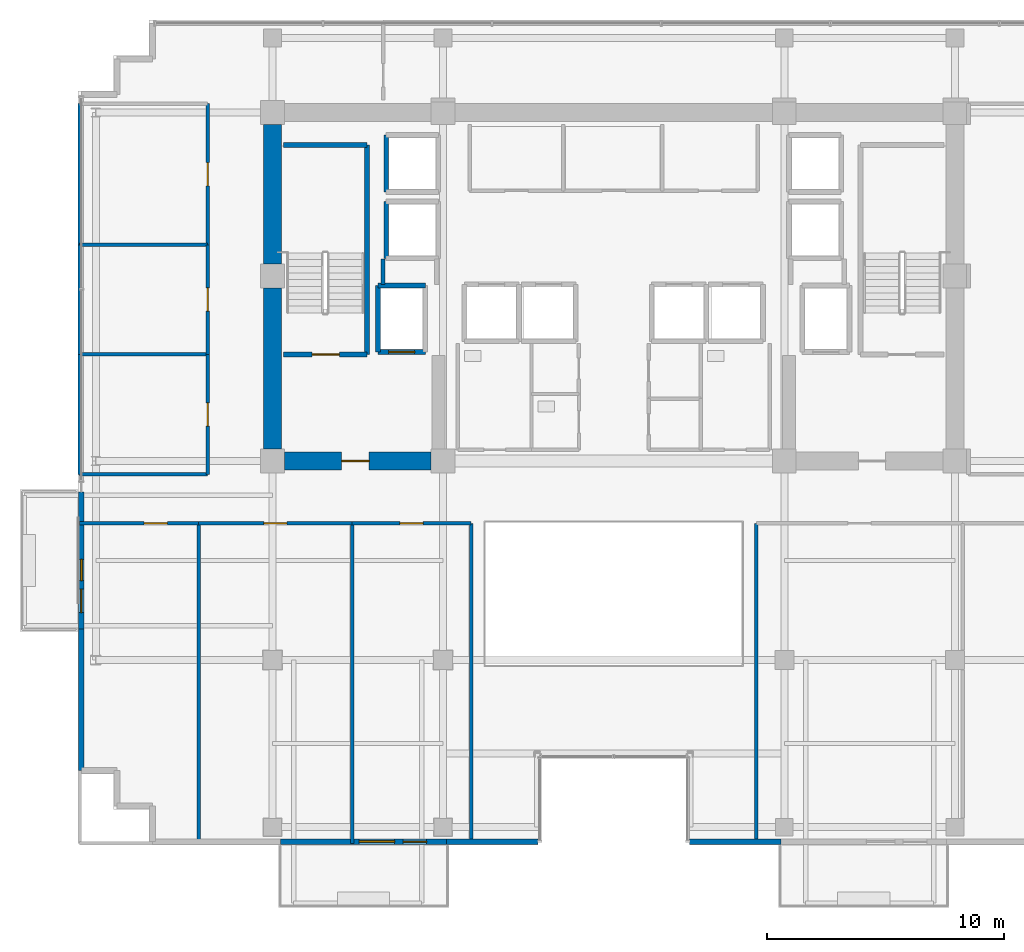
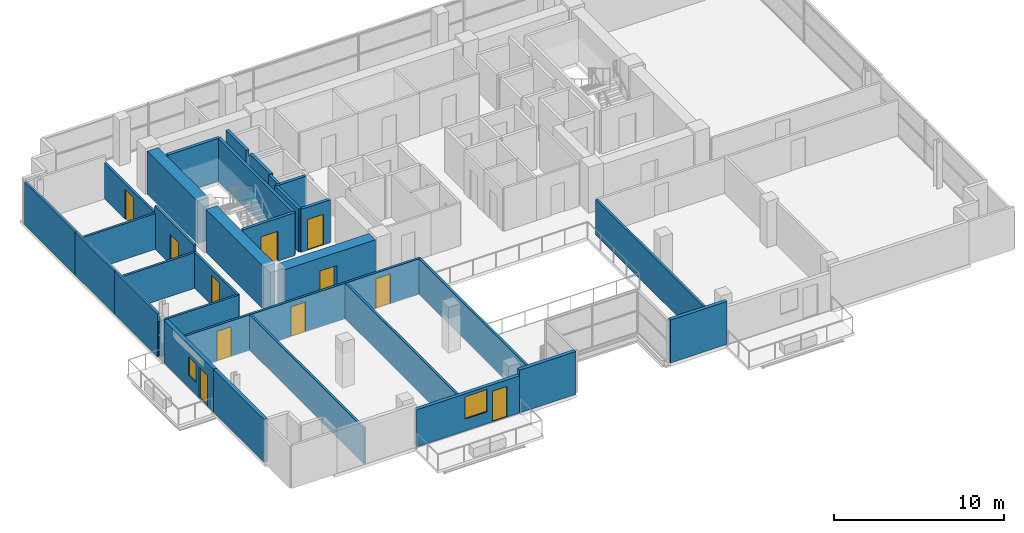
# One storey, part 15 of 22: 33 walls, 11 doors, 2 windows, 13 openings.
"""IFC4 building model written with IfcOpenShell, lengths in metres."""

from ifc_helpers import new_model, si_unit, direction, frame, frame_2d, origin, place, context, subcontext, project, spatial, rectangle, extrude, source, transform, mapped, material, layer, layer_set, type_object, element, fill, save


model = new_model("IFC4")

# Units and contexts
model_context = context("Model", 3, precision=1e-05, world=origin(), true_north=direction((0.0, 1.0)))
body_context = subcontext(model_context, "Body", "Model", "MODEL_VIEW")
ifc_project = project(units=[si_unit("LENGTHUNIT", "METRE"), si_unit("AREAUNIT", "SQUARE_METRE"), si_unit("VOLUMEUNIT", "CUBIC_METRE"), si_unit("PLANEANGLEUNIT", "RADIAN"), si_unit("MASSUNIT", "GRAM", prefix="KILO")], contexts=[model_context])

# Site, building, storey
site_placement = place(None, origin())
site = spatial("IfcSite", under=ifc_project, at=site_placement, CompositionType="ELEMENT")
building_placement = place(site_placement, origin())
building = spatial("IfcBuilding", under=site, at=building_placement, Name="Zarnakvel Exchange Tower", CompositionType="ELEMENT")
storey_placement = place(building_placement, frame((0.0, 0.0, 179.199951171875)))
storey = spatial("IfcBuildingStorey", under=building, at=storey_placement, Name="L50", CompositionType="ELEMENT", Elevation=179.199951171875)

# Walls
ifc_material_1 = material(Name="Concrete C60/75", Category="concrete")
ifc_layer_1 = layer(ifc_material_1, 0.75)
ifc_layer_set_1 = layer_set([ifc_layer_1], Name="Concrete C60/75")
wall_type_1 = type_object("IfcWallType", Name="CW-C3", PredefinedType="SHEAR", material=ifc_layer_set_1)
wall_1_placement = place(storey_placement, frame((-14.39990234375, -0.699951171875, 0.0), z_axis=(0.0, 0.0, 1.0), x_axis=(0.0, 1.0, 0.0)))
element("IfcWall", 1, at=wall_1_placement, inside=storey, type_object=wall_type_1, Name="L50 Rear Core Shear Wall W1 (CW-C3)", PredefinedType="SHEAR", context=body_context, shape_type="SweptSolid", body=[
    extrude(rectangle(XDim=6.800048828125, YDim=0.75, at=frame_2d((3.39990234375, 0.0))), origin(), (0.0, 0.0, 1.0), 3.074951171875),
])
wall_2_placement = place(storey_placement, frame((-14.39990234375, 7.10009765625, 0.0), z_axis=(0.0, 0.0, 1.0), x_axis=(0.0, 1.0, 0.0)))
element("IfcWall", 2, at=wall_2_placement, inside=storey, type_object=wall_type_1, Name="L50 Rear Core Shear Wall W2 (CW-C3)", PredefinedType="SHEAR", context=body_context, shape_type="SweptSolid", body=[
    extrude(rectangle(XDim=5.89990234375, YDim=0.75, at=frame_2d((2.949951171875, 0.0))), origin(), (0.0, 0.0, 1.0), 3.074951171875),
])

# Wall, opening, door
wall_3_placement = place(storey_placement, frame((-7.699951171875, -1.199951171875, 0.0), z_axis=(0.0, 0.0, 1.0), x_axis=(-1.0, 0.0, 0.0)))
wall_3 = element("IfcWall", 3, at=wall_3_placement, inside=storey, type_object=wall_type_1, Name="L50 Rear Core Shear Wall SW (CW-C3)", PredefinedType="SHEAR", context=body_context, shape_type="SweptSolid", body=[
    extrude(rectangle(XDim=6.199951171875, YDim=0.75, at=frame_2d((3.10009765625, 0.0))), origin(), (0.0, 0.0, 1.0), 3.074951171875),
])
opening_1_placement = place(wall_3_placement, frame((2.625, 0.0, 0.0)))
opening_1 = element("IfcOpeningElement", 4, at=opening_1_placement, cuts=wall_3, Name="Opening D-L50-03", PredefinedType="OPENING", context=body_context, shape_type="SweptSolid", body=[
    extrude(rectangle(XDim=1.14990234375, YDim=2.14990234375, at=frame_2d((0.574951171875, 1.074951171875))), frame((0.0, 0.385009765625, 0.0), z_axis=(0.0, -1.0, 0.0), x_axis=(1.0, 0.0, 0.0)), (0.0, 0.0, 1.0), 0.77001953125),
])
ifc_material_2 = material(Name="Painted Galvanised Steel S355", Category="steel")
door_type_1 = type_object("IfcDoorType", Name="DT-04", OperationType="NOTDEFINED", PredefinedType="DOOR", material=ifc_material_2)
shared_shape_1 = source(origin(), body_context, "Body", "SweptSolid", [
    extrude(rectangle(XDim=1.14990234375, YDim=2.14990234375, at=frame_2d((0.574951171875, 1.074951171875))), frame((0.0, 0.02490234375, 0.0), z_axis=(0.0, -1.0, 0.0), x_axis=(1.0, 0.0, 0.0)), (0.0, 0.0, 1.0), 0.050048828125),
])
door_1_placement = place(opening_1_placement, origin())
door_1 = element("IfcDoor", 5, at=door_1_placement, inside=storey, type_object=door_type_1, Name="L50 Firefighting Lobby West Door D-L50-03", OperationType="SINGLE_SWING_RIGHT", OverallHeight=2.14990234375, OverallWidth=1.14990234375, PredefinedType="DOOR", context=body_context, shape_type="MappedRepresentation", body=[
    mapped(shared_shape_1, transform((0.0, 0.0, 0.0), x_axis=(1.0, 0.0, 0.0), y_axis=(0.0, 1.0, 0.0), z_axis=(0.0, 0.0, 1.0), scale=1.0)),
])
fill(opening_1, door_1)

# Wall, openings, door, window
ifc_material_3 = material(Name="Precast concrete C40/50", Category="concrete")
ifc_layer_2 = layer(ifc_material_3, 0.239990234375)
ifc_layer_set_2 = layer_set([ifc_layer_2], Name="Precast concrete C40/50")
wall_type_2 = type_object("IfcWallType", Name="EW-02", PredefinedType="SOLIDWALL", material=ifc_layer_set_2)
wall_4_placement = place(storey_placement, frame((-7.050048828125, -17.260009765625, 0.0), z_axis=(0.0, 0.0, 1.0), x_axis=(-1.0, 0.0, 0.0)))
wall_4 = element("IfcWall", 6, at=wall_4_placement, inside=storey, type_object=wall_type_2, Name="L50 Exterior Precast Spandrel Wall EW-BAL-L50-SW (EW-02)", PredefinedType="SOLIDWALL", context=body_context, shape_type="SweptSolid", body=[
    extrude(rectangle(XDim=7.0, YDim=0.239990234375, at=frame_2d((3.5, 0.0))), origin(), (0.0, 0.0, 1.0), 2.6650390625),
])
opening_2_placement = place(wall_4_placement, frame((0.840087890625, 0.0, 0.0)))
opening_2 = element("IfcOpeningElement", 7, at=opening_2_placement, cuts=wall_4, Name="Opening BD-L50-01", PredefinedType="OPENING", context=body_context, shape_type="SweptSolid", body=[
    extrude(rectangle(XDim=1.0, YDim=2.199951171875, at=frame_2d((0.5, 1.10009765625))), frame((0.0, 0.1298828125, 0.0), z_axis=(0.0, -1.0, 0.0), x_axis=(1.0, 0.0, 0.0)), (0.0, 0.0, 1.0), 0.260009765625),
])
opening_3_placement = place(wall_4_placement, frame((2.18994140625, 0.0, 0.85009765625)))
opening_3 = element("IfcOpeningElement", 8, at=opening_3_placement, cuts=wall_4, Name="Opening WN-03", PredefinedType="OPENING", context=body_context, shape_type="SweptSolid", body=[
    extrude(rectangle(XDim=1.5, YDim=1.60009765625, at=frame_2d((0.75, 0.800048828125))), frame((0.0, 0.1298828125, 0.0), z_axis=(0.0, -1.0, 0.0), x_axis=(1.0, 0.0, 0.0)), (0.0, 0.0, 1.0), 0.260009765625),
])
ifc_material_4 = material(Name="Architectural Bronze Anodised Aluminium", Category="aluminium")
door_type_2 = type_object("IfcDoorType", Name="DT-09", OperationType="NOTDEFINED", PredefinedType="DOOR", material=ifc_material_4)
shared_shape_2 = source(origin(), body_context, "Body", "SweptSolid", [
    extrude(rectangle(XDim=1.0, YDim=2.199951171875, at=frame_2d((0.5, 1.10009765625))), frame((0.0, 0.02490234375, 0.0), z_axis=(0.0, -1.0, 0.0), x_axis=(1.0, 0.0, 0.0)), (0.0, 0.0, 1.0), 0.050048828125),
])
door_2_placement = place(opening_2_placement, origin())
door_2 = element("IfcDoor", 9, at=door_2_placement, inside=storey, type_object=door_type_2, Name="L50 Planted Loggia Balcony Door BD-L50-01", OperationType="SINGLE_SWING_RIGHT", OverallHeight=2.199951171875, OverallWidth=1.0, PredefinedType="DOOR", context=body_context, shape_type="MappedRepresentation", body=[
    mapped(shared_shape_2, transform((0.0, 0.0, 0.0), x_axis=(1.0, 0.0, 0.0), y_axis=(0.0, 1.0, 0.0), z_axis=(0.0, 0.0, 1.0), scale=1.0)),
])
fill(opening_2, door_2)
ifc_material_5 = material(Name="Double Low-E Laminated Vision Glass", Category="glass")
window_type_1 = type_object("IfcWindowType", Name="WN-03", PartitioningType="SINGLE_PANEL", PredefinedType="WINDOW", material=ifc_material_5)
shared_shape_3 = source(origin(), body_context, "Body", "SweptSolid", [
    extrude(rectangle(XDim=1.5, YDim=1.60009765625, at=frame_2d((0.75, 0.800048828125))), frame((0.0, 0.030029296875, 0.0), z_axis=(0.0, -1.0, 0.0), x_axis=(1.0, 0.0, 0.0)), (0.0, 0.0, 1.0), 0.06005859375),
])
window_1_placement = place(opening_3_placement, origin())
window_1 = element("IfcWindow", 10, at=window_1_placement, inside=storey, type_object=window_type_1, Name="L50 Loggia Daylight Window (WN-03)", OverallHeight=1.60009765625, OverallWidth=1.5, PartitioningType="SINGLE_PANEL", PredefinedType="WINDOW", context=body_context, shape_type="MappedRepresentation", body=[
    mapped(shared_shape_3, transform((0.0, 0.0, 0.0), x_axis=(1.0, 0.0, 0.0), y_axis=(0.0, 1.0, 0.0), z_axis=(0.0, 0.0, 1.0), scale=1.0)),
])
fill(opening_3, window_1)

wall_5_placement = place(storey_placement, frame((-22.4599609375, -8.300048828125, 0.0), z_axis=(0.0, 0.0, 1.0), x_axis=(0.0, 1.0, 0.0)))
wall_5 = element("IfcWall", 11, at=wall_5_placement, inside=storey, type_object=wall_type_2, Name="L50 Exterior Precast Spandrel Wall EW-BAL-L50-W (EW-02)", PredefinedType="SOLIDWALL", context=body_context, shape_type="SweptSolid", body=[
    extrude(rectangle(XDim=5.800048828125, YDim=0.239990234375, at=frame_2d((2.89990234375, 0.0))), origin(), (0.0, 0.0, 1.0), 3.074951171875),
])
opening_4_placement = place(wall_5_placement, frame((0.696044921875, 0.0, 0.0)))
opening_4 = element("IfcOpeningElement", 12, at=opening_4_placement, cuts=wall_5, Name="Opening BD-L50-03", PredefinedType="OPENING", context=body_context, shape_type="SweptSolid", body=[
    extrude(rectangle(XDim=1.0, YDim=2.199951171875, at=frame_2d((0.5, 1.10009765625))), frame((0.0, 0.1298828125, 0.0), z_axis=(0.0, -1.0, 0.0), x_axis=(1.0, 0.0, 0.0)), (0.0, 0.0, 1.0), 0.260009765625),
])
opening_5_placement = place(wall_5_placement, frame((2.0458984375, 0.0, 0.85009765625)))
opening_5 = element("IfcOpeningElement", 13, at=opening_5_placement, cuts=wall_5, Name="Opening WN-06", PredefinedType="OPENING", context=body_context, shape_type="SweptSolid", body=[
    extrude(rectangle(XDim=0.89990234375, YDim=1.35009765625, at=frame_2d((0.449951171875, 0.675048828125))), frame((0.0, 0.1298828125, 0.0), z_axis=(0.0, -1.0, 0.0), x_axis=(1.0, 0.0, 0.0)), (0.0, 0.0, 1.0), 0.260009765625),
])
door_3_placement = place(opening_4_placement, origin())
door_3 = element("IfcDoor", 14, at=door_3_placement, inside=storey, type_object=door_type_2, Name="L50 Planted Loggia Balcony Door BD-L50-03", OperationType="SINGLE_SWING_RIGHT", OverallHeight=2.199951171875, OverallWidth=1.0, PredefinedType="DOOR", context=body_context, shape_type="MappedRepresentation", body=[
    mapped(shared_shape_2, transform((0.0, 0.0, 0.0), x_axis=(1.0, 0.0, 0.0), y_axis=(0.0, 1.0, 0.0), z_axis=(0.0, 0.0, 1.0), scale=1.0)),
])
fill(opening_4, door_3)
window_type_2 = type_object("IfcWindowType", Name="WN-06", PartitioningType="SINGLE_PANEL", PredefinedType="WINDOW", material=ifc_material_5)
shared_shape_4 = source(origin(), body_context, "Body", "SweptSolid", [
    extrude(rectangle(XDim=0.89990234375, YDim=1.35009765625, at=frame_2d((0.449951171875, 0.675048828125))), frame((0.0, 0.030029296875, 0.0), z_axis=(0.0, -1.0, 0.0), x_axis=(1.0, 0.0, 0.0)), (0.0, 0.0, 1.0), 0.06005859375),
])
window_2_placement = place(opening_5_placement, origin())
window_2 = element("IfcWindow", 15, at=window_2_placement, inside=storey, type_object=window_type_2, Name="L50 Loggia Daylight Window (WN-06)", OverallHeight=1.35009765625, OverallWidth=0.89990234375, PartitioningType="SINGLE_PANEL", PredefinedType="WINDOW", context=body_context, shape_type="MappedRepresentation", body=[
    mapped(shared_shape_4, transform((0.0, 0.0, 0.0), x_axis=(1.0, 0.0, 0.0), y_axis=(0.0, 1.0, 0.0), z_axis=(0.0, 0.0, 1.0), scale=1.0)),
])
fill(opening_5, window_2)

# Walls
wall_6_placement = place(storey_placement, frame((-22.4599609375, -8.300048828125, 0.0), z_axis=(0.0, 0.0, 1.0), x_axis=(0.0, -1.0, 0.0)))
element("IfcWall", 16, at=wall_6_placement, inside=storey, type_object=wall_type_2, Name="L50 Exterior Precast Spandrel Wall EWC-L50-01 (EW-02)", PredefinedType="SOLIDWALL", context=body_context, shape_type="SweptSolid", body=[
    extrude(rectangle(XDim=5.9599609375, YDim=0.239990234375, at=frame_2d((2.97998046875, 0.0))), origin(), (0.0, 0.0, 1.0), 3.074951171875),
])
for number, where, z_axis, x_axis, name in (
    (17, (3.199951171875, -17.260009765625, 0.0), (0.0, 0.0, 1.0), (1.0, 0.0, 0.0), "L50 Exterior Precast Spandrel Wall EWC-L50-16 (EW-02)"),
    (18, (-7.050048828125, -17.260009765625, 0.0), (0.0, 0.0, 1.0), (1.0, 0.0, 0.0), "L50 Exterior Precast Spandrel Wall EWC-L50-21 (EW-02)"),
):
    element("IfcWall", number, at=place(storey_placement, frame(where, z_axis=z_axis, x_axis=x_axis)), inside=storey, type_object=wall_type_2, Name=name, PredefinedType="SOLIDWALL", context=body_context, shape_type="SweptSolid", body=[
        extrude(rectangle(XDim=3.85009765625, YDim=0.239990234375, at=frame_2d((1.925048828125, 0.0))), origin(), (0.0, 0.0, 1.0), 3.074951171875),
    ])

# Wall, opening, door
ifc_material_6 = material(Name="Fire-Rated Gypsum Stud Partition", Category="gypsum")
ifc_layer_3 = layer(ifc_material_6, 0.14990234375)
ifc_layer_set_3 = layer_set([ifc_layer_3], Name="Fire-Rated Gypsum Stud Partition")
wall_type_3 = type_object("IfcWallType", Name="PT-01", PredefinedType="PARTITIONING", material=ifc_layer_set_3)
wall_7_placement = place(storey_placement, frame((-22.530029296875, -3.830078125, 0.0), z_axis=(0.0, 0.0, 1.0), x_axis=(1.0, 0.0, 0.0)))
wall_7 = element("IfcWall", 19, at=wall_7_placement, inside=storey, type_object=wall_type_3, Name="L50 Partition Wall PWALL-L50-034 (PT-01)", PredefinedType="PARTITIONING", context=body_context, shape_type="SweptSolid", body=[
    extrude(rectangle(XDim=5.017578125, YDim=0.14990234375, at=frame_2d((2.5087890625, 0.0))), origin(), (0.0, 0.0, 1.0), 2.56494140625),
])
opening_6_placement = place(wall_7_placement, frame((2.718994140625, 0.0, 0.0)))
opening_6 = element("IfcOpeningElement", 20, at=opening_6_placement, cuts=wall_7, Name="Opening D-L50-14", PredefinedType="OPENING", context=body_context, shape_type="SweptSolid", body=[
    extrude(rectangle(XDim=0.97998046875, YDim=2.14990234375, at=frame_2d((0.489990234375, 1.074951171875))), frame((0.0, 0.0849609375, 0.0), z_axis=(0.0, -1.0, 0.0), x_axis=(1.0, 0.0, 0.0)), (0.0, 0.0, 1.0), 0.169921875),
])
ifc_material_7 = material(Name="Timber Acoustic Veneer", Category="wood")
door_type_3 = type_object("IfcDoorType", Name="DT-05", OperationType="NOTDEFINED", PredefinedType="DOOR", material=ifc_material_7)
shared_shape_5 = source(origin(), body_context, "Body", "SweptSolid", [
    extrude(rectangle(XDim=0.97998046875, YDim=2.14990234375, at=frame_2d((0.489990234375, 1.074951171875))), frame((0.0, 0.02490234375, 0.0), z_axis=(0.0, -1.0, 0.0), x_axis=(1.0, 0.0, 0.0)), (0.0, 0.0, 1.0), 0.050048828125),
])
door_4_placement = place(opening_6_placement, origin())
door_4 = element("IfcDoor", 21, at=door_4_placement, inside=storey, type_object=door_type_3, Name="L50 Commodities Dealing Room Door D-L50-14", OperationType="SINGLE_SWING_LEFT", OverallHeight=2.14990234375, OverallWidth=0.97998046875, PredefinedType="DOOR", context=body_context, shape_type="MappedRepresentation", body=[
    mapped(shared_shape_5, transform((0.0, 0.0, 0.0), x_axis=(1.0, 0.0, 0.0), y_axis=(0.0, 1.0, 0.0), z_axis=(0.0, 0.0, 1.0), scale=1.0)),
])
fill(opening_6, door_4)

# Wall
wall_8_placement = place(storey_placement, frame((-17.512451171875, -3.830078125, 0.0), z_axis=(0.0, 0.0, 1.0), x_axis=(0.0, -1.0, 0.0)))
element("IfcWall", 22, at=wall_8_placement, inside=storey, type_object=wall_type_3, Name="L50 Partition Wall PWALL-L50-036 (PT-01)", PredefinedType="PARTITIONING", context=body_context, shape_type="SweptSolid", body=[
    extrude(rectangle(XDim=13.5, YDim=0.14990234375, at=frame_2d((6.75, 0.0))), origin(), (0.0, 0.0, 1.0), 2.56494140625),
])

# Wall, opening, door
wall_9_placement = place(storey_placement, frame((-17.512451171875, -3.830078125, 0.0), z_axis=(0.0, 0.0, 1.0), x_axis=(1.0, 0.0, 0.0)))
wall_9 = element("IfcWall", 23, at=wall_9_placement, inside=storey, type_object=wall_type_3, Name="L50 Partition Wall PWALL-L50-038 (PT-01)", PredefinedType="PARTITIONING", context=body_context, shape_type="SweptSolid", body=[
    extrude(rectangle(XDim=6.474853515625, YDim=0.14990234375, at=frame_2d((3.2373046875, 0.0))), origin(), (0.0, 0.0, 1.0), 2.56494140625),
])
opening_7_placement = place(wall_9_placement, frame((2.747314453125, 0.0, 0.0)))
opening_7 = element("IfcOpeningElement", 24, at=opening_7_placement, cuts=wall_9, Name="Opening D-L50-15", PredefinedType="OPENING", context=body_context, shape_type="SweptSolid", body=[
    extrude(rectangle(XDim=0.97998046875, YDim=2.14990234375, at=frame_2d((0.489990234375, 1.074951171875))), frame((0.0, 0.0849609375, 0.0), z_axis=(0.0, -1.0, 0.0), x_axis=(1.0, 0.0, 0.0)), (0.0, 0.0, 1.0), 0.169921875),
])
door_5_placement = place(opening_7_placement, origin())
door_5 = element("IfcDoor", 25, at=door_5_placement, inside=storey, type_object=door_type_3, Name="L50 Brokerage Office Door D-L50-15", OperationType="SINGLE_SWING_RIGHT", OverallHeight=2.14990234375, OverallWidth=0.97998046875, PredefinedType="DOOR", context=body_context, shape_type="MappedRepresentation", body=[
    mapped(shared_shape_5, transform((0.0, 0.0, 0.0), x_axis=(1.0, 0.0, 0.0), y_axis=(0.0, 1.0, 0.0), z_axis=(0.0, 0.0, 1.0), scale=1.0)),
])
fill(opening_7, door_5)

# Wall
wall_10_placement = place(storey_placement, frame((-11.03759765625, -3.830078125, 0.0), z_axis=(0.0, 0.0, 1.0), x_axis=(0.0, -1.0, 0.0)))
element("IfcWall", 26, at=wall_10_placement, inside=storey, type_object=wall_type_3, Name="L50 Partition Wall PWALL-L50-039 (PT-01)", PredefinedType="PARTITIONING", context=body_context, shape_type="SweptSolid", body=[
    extrude(rectangle(XDim=13.5, YDim=0.14990234375, at=frame_2d((6.75, 0.0))), origin(), (0.0, 0.0, 1.0), 2.56494140625),
])

# Wall, opening, door
wall_11_placement = place(storey_placement, frame((-11.03759765625, -3.830078125, 0.0), z_axis=(0.0, 0.0, 1.0), x_axis=(1.0, 0.0, 0.0)))
wall_11 = element("IfcWall", 27, at=wall_11_placement, inside=storey, type_object=wall_type_3, Name="L50 Partition Wall PWALL-L50-041 (PT-01)", PredefinedType="PARTITIONING", context=body_context, shape_type="SweptSolid", body=[
    extrude(rectangle(XDim=5.017578125, YDim=0.14990234375, at=frame_2d((2.5087890625, 0.0))), origin(), (0.0, 0.0, 1.0), 2.56494140625),
])
opening_8_placement = place(wall_11_placement, frame((2.0185546875, 0.0, 0.0)))
opening_8 = element("IfcOpeningElement", 28, at=opening_8_placement, cuts=wall_11, Name="Opening D-L50-16", PredefinedType="OPENING", context=body_context, shape_type="SweptSolid", body=[
    extrude(rectangle(XDim=0.97998046875, YDim=2.14990234375, at=frame_2d((0.489990234375, 1.074951171875))), frame((0.0, 0.0849609375, 0.0), z_axis=(0.0, -1.0, 0.0), x_axis=(1.0, 0.0, 0.0)), (0.0, 0.0, 1.0), 0.169921875),
])
door_6_placement = place(opening_8_placement, origin())
door_6 = element("IfcDoor", 29, at=door_6_placement, inside=storey, type_object=door_type_3, Name="L50 Seminar Room Door D-L50-16", OperationType="SINGLE_SWING_LEFT", OverallHeight=2.14990234375, OverallWidth=0.97998046875, PredefinedType="DOOR", context=body_context, shape_type="MappedRepresentation", body=[
    mapped(shared_shape_5, transform((0.0, 0.0, 0.0), x_axis=(1.0, 0.0, 0.0), y_axis=(0.0, 1.0, 0.0), z_axis=(0.0, 0.0, 1.0), scale=1.0)),
])
fill(opening_8, door_6)

# Walls
for number, where, z_axis, x_axis, name in (
    (30, (-6.02001953125, -3.830078125, 0.0), (0.0, 0.0, 1.0), (0.0, -1.0, 0.0), "L50 Partition Wall PWALL-L50-042 (PT-01)"),
    (31, (6.02001953125, -17.330078125, 0.0), (0.0, 0.0, 1.0), (0.0, 1.0, 0.0), "L50 Partition Wall PWALL-L50-045 (PT-01)"),
):
    element("IfcWall", number, at=place(storey_placement, frame(where, z_axis=z_axis, x_axis=x_axis)), inside=storey, type_object=wall_type_3, Name=name, PredefinedType="PARTITIONING", context=body_context, shape_type="SweptSolid", body=[
        extrude(rectangle(XDim=13.5, YDim=0.14990234375, at=frame_2d((6.75, 0.0))), origin(), (0.0, 0.0, 1.0), 2.56494140625),
    ])
for number, where, z_axis, x_axis, name in (
    (32, (-17.1298828125, -1.77001953125, 0.0), (0.0, 0.0, 1.0), (-1.0, 0.0, 0.0), "L50 Partition Wall PWALL-L50-051 (PT-01)"),
    (33, (-22.530029296875, 3.2978515625, 0.0), (0.0, 0.0, 1.0), (1.0, 0.0, 0.0), "L50 Partition Wall PWALL-L50-052 (PT-01)"),
):
    element("IfcWall", number, at=place(storey_placement, frame(where, z_axis=z_axis, x_axis=x_axis)), inside=storey, type_object=wall_type_3, Name=name, PredefinedType="PARTITIONING", context=body_context, shape_type="SweptSolid", body=[
        extrude(rectangle(XDim=5.400146484375, YDim=0.14990234375, at=frame_2d((2.7001953125, 0.0))), origin(), (0.0, 0.0, 1.0), 2.56494140625),
    ])
wall_12_placement = place(storey_placement, frame((-22.530029296875, -1.77001953125, 0.0), z_axis=(0.0, 0.0, 1.0), x_axis=(0.0, 1.0, 0.0)))
element("IfcWall", 34, at=wall_12_placement, inside=storey, type_object=wall_type_3, Name="L50 Partition Wall PWALL-L50-053 (PT-01)", PredefinedType="PARTITIONING", context=body_context, shape_type="SweptSolid", body=[
    extrude(rectangle(XDim=5.06787109375, YDim=0.14990234375, at=frame_2d((2.533935546875, 0.0))), origin(), (0.0, 0.0, 1.0), 3.074951171875),
])

# Wall, opening, door
wall_13_placement = place(storey_placement, frame((-17.1298828125, 3.2978515625, 0.0), z_axis=(0.0, 0.0, 1.0), x_axis=(0.0, -1.0, 0.0)))
wall_13 = element("IfcWall", 35, at=wall_13_placement, inside=storey, type_object=wall_type_3, Name="L50 Partition Wall PWALL-L50-054 (PT-01)", PredefinedType="PARTITIONING", context=body_context, shape_type="SweptSolid", body=[
    extrude(rectangle(XDim=5.06787109375, YDim=0.14990234375, at=frame_2d((2.533935546875, 0.0))), origin(), (0.0, 0.0, 1.0), 2.56494140625),
])
opening_9_placement = place(wall_13_placement, frame((2.0439453125, 0.0, 0.0)))
opening_9 = element("IfcOpeningElement", 36, at=opening_9_placement, cuts=wall_13, Name="Opening D-L50-19", PredefinedType="OPENING", context=body_context, shape_type="SweptSolid", body=[
    extrude(rectangle(XDim=0.97998046875, YDim=2.14990234375, at=frame_2d((0.489990234375, 1.074951171875))), frame((0.0, 0.0849609375, 0.0), z_axis=(0.0, -1.0, 0.0), x_axis=(1.0, 0.0, 0.0)), (0.0, 0.0, 1.0), 0.169921875),
])
door_7_placement = place(opening_9_placement, origin())
door_7 = element("IfcDoor", 37, at=door_7_placement, inside=storey, type_object=door_type_3, Name="L50 Boardroom Door D-L50-19", OperationType="SINGLE_SWING_RIGHT", OverallHeight=2.14990234375, OverallWidth=0.97998046875, PredefinedType="DOOR", context=body_context, shape_type="MappedRepresentation", body=[
    mapped(shared_shape_5, transform((0.0, 0.0, 0.0), x_axis=(1.0, 0.0, 0.0), y_axis=(0.0, 1.0, 0.0), z_axis=(0.0, 0.0, 1.0), scale=1.0)),
])
fill(opening_9, door_7)

# Walls
wall_14_placement = place(storey_placement, frame((-22.530029296875, 7.919677734375, 0.0), z_axis=(0.0, 0.0, 1.0), x_axis=(1.0, 0.0, 0.0)))
element("IfcWall", 38, at=wall_14_placement, inside=storey, type_object=wall_type_3, Name="L50 Partition Wall PWALL-L50-055 (PT-01)", PredefinedType="PARTITIONING", context=body_context, shape_type="SweptSolid", body=[
    extrude(rectangle(XDim=5.400146484375, YDim=0.14990234375, at=frame_2d((2.7001953125, 0.0))), origin(), (0.0, 0.0, 1.0), 2.56494140625),
])
wall_15_placement = place(storey_placement, frame((-22.530029296875, 3.2978515625, 0.0), z_axis=(0.0, 0.0, 1.0), x_axis=(0.0, 1.0, 0.0)))
element("IfcWall", 39, at=wall_15_placement, inside=storey, type_object=wall_type_3, Name="L50 Partition Wall PWALL-L50-056 (PT-01)", PredefinedType="PARTITIONING", context=body_context, shape_type="SweptSolid", body=[
    extrude(rectangle(XDim=4.621826171875, YDim=0.14990234375, at=frame_2d((2.31103515625, 0.0))), origin(), (0.0, 0.0, 1.0), 3.074951171875),
])

# Wall, opening, door
wall_16_placement = place(storey_placement, frame((-17.1298828125, 7.919677734375, 0.0), z_axis=(0.0, 0.0, 1.0), x_axis=(0.0, -1.0, 0.0)))
wall_16 = element("IfcWall", 40, at=wall_16_placement, inside=storey, type_object=wall_type_3, Name="L50 Partition Wall PWALL-L50-057 (PT-01)", PredefinedType="PARTITIONING", context=body_context, shape_type="SweptSolid", body=[
    extrude(rectangle(XDim=4.621826171875, YDim=0.14990234375, at=frame_2d((2.31103515625, 0.0))), origin(), (0.0, 0.0, 1.0), 3.074951171875),
])
opening_10_placement = place(wall_16_placement, frame((1.82080078125, 0.0, 0.0)))
opening_10 = element("IfcOpeningElement", 41, at=opening_10_placement, cuts=wall_16, Name="Opening D-L50-20", PredefinedType="OPENING", context=body_context, shape_type="SweptSolid", body=[
    extrude(rectangle(XDim=0.97998046875, YDim=2.14990234375, at=frame_2d((0.489990234375, 1.074951171875))), frame((0.0, 0.0849609375, 0.0), z_axis=(0.0, -1.0, 0.0), x_axis=(1.0, 0.0, 0.0)), (0.0, 0.0, 1.0), 0.169921875),
])
door_8_placement = place(opening_10_placement, origin())
door_8 = element("IfcDoor", 42, at=door_8_placement, inside=storey, type_object=door_type_3, Name="L50 Tea Pantry Door D-L50-20", OperationType="SINGLE_SWING_LEFT", OverallHeight=2.14990234375, OverallWidth=0.97998046875, PredefinedType="DOOR", context=body_context, shape_type="MappedRepresentation", body=[
    mapped(shared_shape_5, transform((0.0, 0.0, 0.0), x_axis=(1.0, 0.0, 0.0), y_axis=(0.0, 1.0, 0.0), z_axis=(0.0, 0.0, 1.0), scale=1.0)),
])
fill(opening_10, door_8)

# Wall
wall_17_placement = place(storey_placement, frame((-22.530029296875, 7.919677734375, 0.0), z_axis=(0.0, 0.0, 1.0), x_axis=(0.0, 1.0, 0.0)))
element("IfcWall", 43, at=wall_17_placement, inside=storey, type_object=wall_type_3, Name="L50 Partition Wall PWALL-L50-059 (PT-01)", PredefinedType="PARTITIONING", context=body_context, shape_type="SweptSolid", body=[
    extrude(rectangle(XDim=5.960205078125, YDim=0.14990234375, at=frame_2d((2.97998046875, 0.0))), origin(), (0.0, 0.0, 1.0), 3.074951171875),
])

# Wall, opening, door
wall_18_placement = place(storey_placement, frame((-17.1298828125, 13.8798828125, 0.0), z_axis=(0.0, 0.0, 1.0), x_axis=(0.0, -1.0, 0.0)))
wall_18 = element("IfcWall", 44, at=wall_18_placement, inside=storey, type_object=wall_type_3, Name="L50 Partition Wall PWALL-L50-060 (PT-01)", PredefinedType="PARTITIONING", context=body_context, shape_type="SweptSolid", body=[
    extrude(rectangle(XDim=5.960205078125, YDim=0.14990234375, at=frame_2d((2.97998046875, 0.0))), origin(), (0.0, 0.0, 1.0), 2.56494140625),
])
opening_11_placement = place(wall_18_placement, frame((2.489990234375, 0.0, 0.0)))
opening_11 = element("IfcOpeningElement", 45, at=opening_11_placement, cuts=wall_18, Name="Opening D-L50-21", PredefinedType="OPENING", context=body_context, shape_type="SweptSolid", body=[
    extrude(rectangle(XDim=0.97998046875, YDim=2.14990234375, at=frame_2d((0.489990234375, 1.074951171875))), frame((0.0, 0.0849609375, 0.0), z_axis=(0.0, -1.0, 0.0), x_axis=(1.0, 0.0, 0.0)), (0.0, 0.0, 1.0), 0.169921875),
])
door_9_placement = place(opening_11_placement, origin())
door_9 = element("IfcDoor", 46, at=door_9_placement, inside=storey, type_object=door_type_3, Name="L50 Fintech Workspace Door D-L50-21", OperationType="SINGLE_SWING_RIGHT", OverallHeight=2.14990234375, OverallWidth=0.97998046875, PredefinedType="DOOR", context=body_context, shape_type="MappedRepresentation", body=[
    mapped(shared_shape_5, transform((0.0, 0.0, 0.0), x_axis=(1.0, 0.0, 0.0), y_axis=(0.0, 1.0, 0.0), z_axis=(0.0, 0.0, 1.0), scale=1.0)),
])
fill(opening_11, door_9)

# Wall
ifc_layer_4 = layer(ifc_material_6, 0.179931640625)
ifc_layer_set_4 = layer_set([ifc_layer_4], Name="Fire-Rated Gypsum Stud Partition")
wall_type_4 = type_object("IfcWallType", Name="PT-02", PredefinedType="PARTITIONING", material=ifc_layer_set_4)
wall_19_placement = place(storey_placement, frame((-9.72998046875, 6.239990234375, 0.0), z_axis=(0.0, 0.0, 1.0), x_axis=(0.0, 1.0, 0.0)))
element("IfcWall", 47, at=wall_19_placement, inside=storey, type_object=wall_type_4, Name="L50 Partition Wall PWALL-L50-007 (PT-02)", PredefinedType="PARTITIONING", context=body_context, shape_type="SweptSolid", body=[
    extrude(rectangle(XDim=1.090087890625, YDim=0.179931640625, at=frame_2d((0.544921875, 0.0))), origin(), (0.0, 0.0, 1.0), 3.074951171875),
])

# Wall, opening, door
ifc_material_8 = material(Name="Concrete C40/50", Category="concrete")
ifc_layer_5 = layer(ifc_material_8, 0.199951171875)
ifc_layer_set_5 = layer_set([ifc_layer_5], Name="Concrete C40/50")
wall_type_5 = type_object("IfcWallType", Name="SW-01", PredefinedType="SOLIDWALL", material=ifc_layer_set_5)
wall_20_placement = place(storey_placement, frame((-7.949951171875, 3.39990234375, 0.0), z_axis=(0.0, 0.0, 1.0), x_axis=(-1.0, 0.0, 0.0)))
wall_20 = element("IfcWall", 48, at=wall_20_placement, inside=storey, type_object=wall_type_5, Name="L50 FL-01 Hoistway Wall South", PredefinedType="SOLIDWALL", context=body_context, shape_type="SweptSolid", body=[
    extrude(rectangle(XDim=2.0, YDim=0.199951171875, at=frame_2d((1.0, 0.0))), origin(), (0.0, 0.0, 1.0), 3.074951171875),
])
opening_12_placement = place(wall_20_placement, frame((0.449951171875, 0.0, 0.0)))
opening_12 = element("IfcOpeningElement", 49, at=opening_12_placement, cuts=wall_20, Name="Opening LD-FL-01-L50", PredefinedType="OPENING", context=body_context, shape_type="SweptSolid", body=[
    extrude(rectangle(XDim=1.10009765625, YDim=2.199951171875, at=frame_2d((0.550048828125, 1.10009765625))), frame((0.0, 0.10986328125, 0.0), z_axis=(0.0, -1.0, 0.0), x_axis=(1.0, 0.0, 0.0)), (0.0, 0.0, 1.0), 0.219970703125),
])
ifc_material_9 = material(Name="Brushed Stainless Steel", Category="steel")
door_type_4 = type_object("IfcDoorType", Name="LDT-01", OperationType="NOTDEFINED", PredefinedType="DOOR", material=ifc_material_9)
shared_shape_6 = source(origin(), body_context, "Body", "SweptSolid", [
    extrude(rectangle(XDim=1.10009765625, YDim=2.199951171875, at=frame_2d((0.550048828125, 1.10009765625))), frame((0.0, 0.02490234375, 0.0), z_axis=(0.0, -1.0, 0.0), x_axis=(1.0, 0.0, 0.0)), (0.0, 0.0, 1.0), 0.050048828125),
])
door_10_placement = place(opening_12_placement, origin())
door_10 = element("IfcDoor", 50, at=door_10_placement, inside=storey, type_object=door_type_4, Name="L50 FL-01 Lift Landing Door LD-FL-01-L50", OperationType="DOUBLE_DOOR_SLIDING", OverallHeight=2.199951171875, OverallWidth=1.10009765625, PredefinedType="DOOR", context=body_context, shape_type="MappedRepresentation", body=[
    mapped(shared_shape_6, transform((0.0, 0.0, 0.0), x_axis=(1.0, 0.0, 0.0), y_axis=(0.0, 1.0, 0.0), z_axis=(0.0, 0.0, 1.0), scale=1.0)),
])
fill(opening_12, door_10)

# Walls
wall_21_placement = place(storey_placement, frame((-9.949951171875, 6.199951171875, 0.0), z_axis=(0.0, 0.0, 1.0), x_axis=(1.0, 0.0, 0.0)))
element("IfcWall", 51, at=wall_21_placement, inside=storey, type_object=wall_type_5, Name="L50 FL-01 Hoistway Wall North", PredefinedType="SOLIDWALL", context=body_context, shape_type="SweptSolid", body=[
    extrude(rectangle(XDim=2.0, YDim=0.199951171875, at=frame_2d((1.0, 0.0))), origin(), (0.0, 0.0, 1.0), 3.074951171875),
])
wall_22_placement = place(storey_placement, frame((-9.949951171875, 3.39990234375, 0.0), z_axis=(0.0, 0.0, 1.0), x_axis=(0.0, 1.0, 0.0)))
element("IfcWall", 52, at=wall_22_placement, inside=storey, type_object=wall_type_5, Name="L50 FL-01 Hoistway Wall West", PredefinedType="SOLIDWALL", context=body_context, shape_type="SweptSolid", body=[
    extrude(rectangle(XDim=2.800048828125, YDim=0.199951171875, at=frame_2d((1.39990234375, 0.0))), origin(), (0.0, 0.0, 1.0), 3.074951171875),
])
wall_23_placement = place(storey_placement, frame((-9.60009765625, 7.35009765625, 0.0), z_axis=(0.0, 0.0, 1.0), x_axis=(0.0, 1.0, 0.0)))
element("IfcWall", 53, at=wall_23_placement, inside=storey, type_object=wall_type_5, Name="L50 PL-09 Hoistway Wall West", PredefinedType="SOLIDWALL", context=body_context, shape_type="SweptSolid", body=[
    extrude(rectangle(XDim=2.39990234375, YDim=0.199951171875, at=frame_2d((1.199951171875, 0.0))), origin(), (0.0, 0.0, 1.0), 3.074951171875),
])
wall_24_placement = place(storey_placement, frame((-9.60009765625, 10.14990234375, 0.0), z_axis=(0.0, 0.0, 1.0), x_axis=(0.0, 1.0, 0.0)))
element("IfcWall", 54, at=wall_24_placement, inside=storey, type_object=wall_type_5, Name="L50 PL-10 Hoistway Wall West", PredefinedType="SOLIDWALL", context=body_context, shape_type="SweptSolid", body=[
    extrude(rectangle(XDim=2.400146484375, YDim=0.199951171875, at=frame_2d((1.2001953125, 0.0))), origin(), (0.0, 0.0, 1.0), 3.074951171875),
])

# Wall, opening, door
ifc_layer_6 = layer(ifc_material_8, 0.199951171875)
ifc_layer_set_6 = layer_set([ifc_layer_6], Name="Concrete C40/50")
wall_type_6 = type_object("IfcWallType", Name="SW-02", PredefinedType="SOLIDWALL", material=ifc_layer_set_6)
wall_25_placement = place(storey_placement, frame((-10.409912109375, 3.2900390625, 0.0), z_axis=(0.0, 0.0, 1.0), x_axis=(-1.0, 0.0, 0.0)))
wall_25 = element("IfcWall", 55, at=wall_25_placement, inside=storey, type_object=wall_type_6, Name="L50 Stairwell Core Wall PWALL-L50-001 (SW-02)", PredefinedType="SOLIDWALL", context=body_context, shape_type="SweptSolid", body=[
    extrude(rectangle(XDim=3.52001953125, YDim=0.199951171875, at=frame_2d((1.760009765625, 0.0))), origin(), (0.0, 0.0, 1.0), 3.074951171875),
])
opening_13_placement = place(wall_25_placement, frame((1.1650390625, 0.0, 0.0)))
opening_13 = element("IfcOpeningElement", 56, at=opening_13_placement, cuts=wall_25, Name="Opening D-L50-01", PredefinedType="OPENING", context=body_context, shape_type="SweptSolid", body=[
    extrude(rectangle(XDim=1.14990234375, YDim=2.14990234375, at=frame_2d((0.574951171875, 1.074951171875))), frame((0.0, 0.10986328125, 0.0), z_axis=(0.0, -1.0, 0.0), x_axis=(1.0, 0.0, 0.0)), (0.0, 0.0, 1.0), 0.219970703125),
])
door_11_placement = place(opening_13_placement, origin())
door_11 = element("IfcDoor", 57, at=door_11_placement, inside=storey, type_object=door_type_1, Name="L50 Stairwell ST-01 Door D-L50-01", OperationType="SINGLE_SWING_RIGHT", OverallHeight=2.14990234375, OverallWidth=1.14990234375, PredefinedType="DOOR", context=body_context, shape_type="MappedRepresentation", body=[
    mapped(shared_shape_1, transform((0.0, 0.0, 0.0), x_axis=(1.0, 0.0, 0.0), y_axis=(0.0, 1.0, 0.0), z_axis=(0.0, 0.0, 1.0), scale=1.0)),
])
fill(opening_13, door_11)

# Walls
wall_26_placement = place(storey_placement, frame((-13.929931640625, 12.1298828125, 0.0), z_axis=(0.0, 0.0, 1.0), x_axis=(1.0, 0.0, 0.0)))
element("IfcWall", 58, at=wall_26_placement, inside=storey, type_object=wall_type_6, Name="L50 Stairwell Core Wall PWALL-L50-002 (SW-02)", PredefinedType="SOLIDWALL", context=body_context, shape_type="SweptSolid", body=[
    extrude(rectangle(XDim=3.52001953125, YDim=0.199951171875, at=frame_2d((1.760009765625, 0.0))), origin(), (0.0, 0.0, 1.0), 3.074951171875),
])
wall_27_placement = place(storey_placement, frame((-10.409912109375, 12.1298828125, 0.0), z_axis=(0.0, 0.0, 1.0), x_axis=(0.0, -1.0, 0.0)))
element("IfcWall", 59, at=wall_27_placement, inside=storey, type_object=wall_type_6, Name="L50 Stairwell Core Wall PWALL-L50-003 (SW-02)", PredefinedType="SOLIDWALL", context=body_context, shape_type="SweptSolid", body=[
    extrude(rectangle(XDim=8.83984375, YDim=0.199951171875, at=frame_2d((4.419921875, 0.0))), origin(), (0.0, 0.0, 1.0), 3.074951171875),
])

save(model, "model.ifc")
